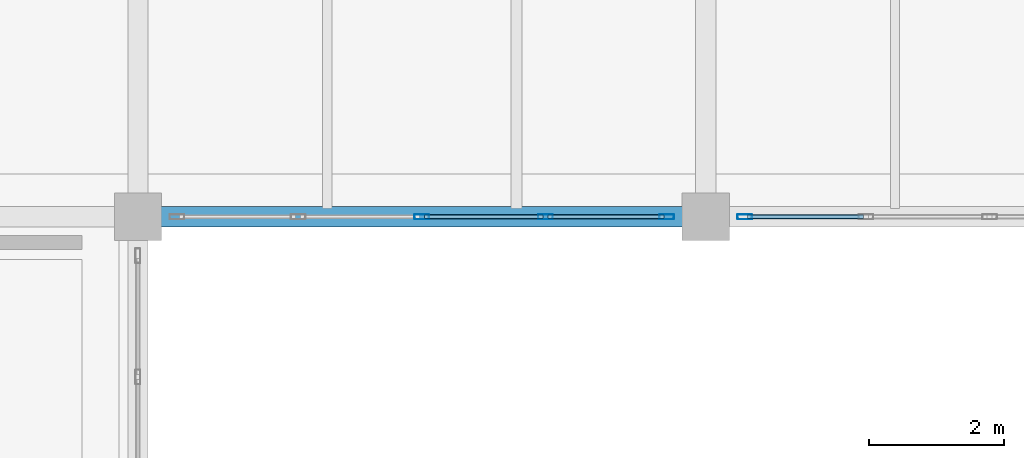
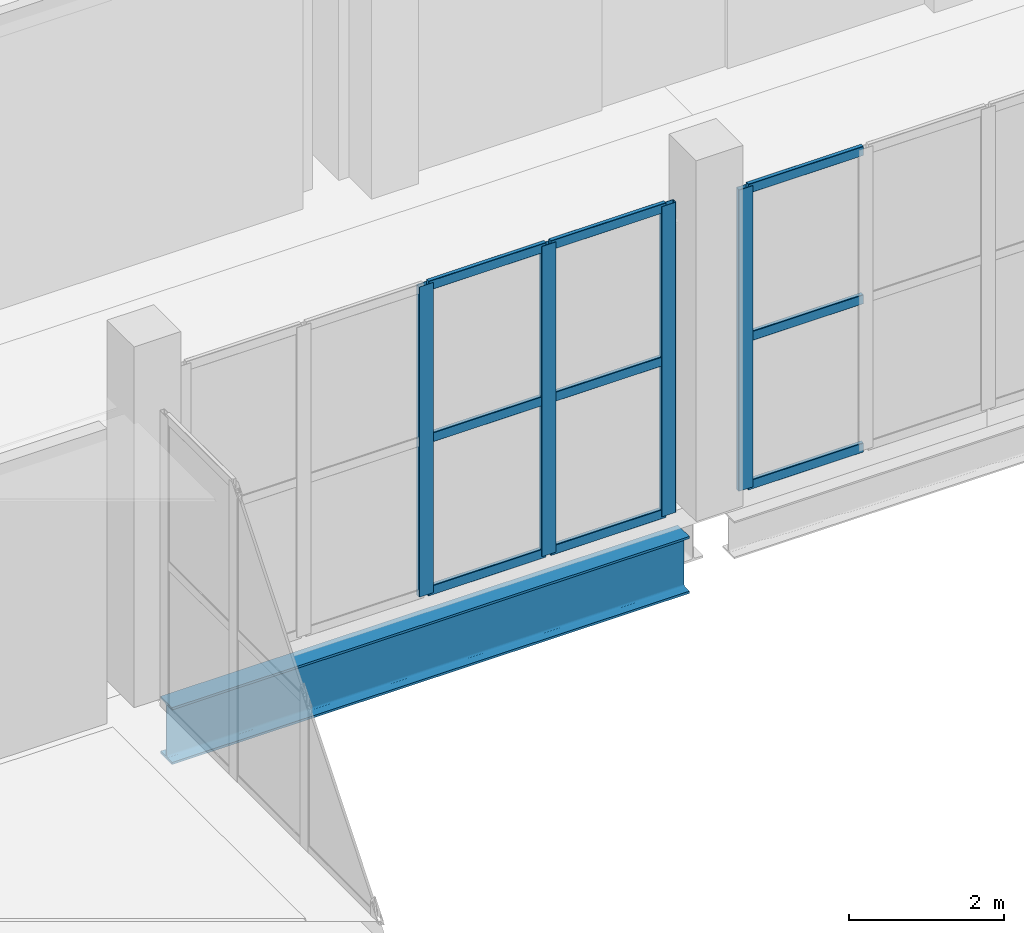
# One storey, part 24 of 49: 13 members, 1 beam, 2 elements without a shape of their own.
"""IFC4 building model written with IfcOpenShell, lengths in metres."""

from ifc_helpers import new_model, si_unit, direction, frame, origin, origin_2d, place, context, subcontext, project, spatial, hollow_rectangle, i_section, extrude, material, layer, layer_set, material_profile, profile_set, type_object, element, aggregate, save


model = new_model("IFC4")

# Units and contexts
model_context = context("Model", 3, precision=1e-05, world=origin(), true_north=direction((0.0, 1.0)))
body_context = subcontext(model_context, "Body", "Model", "MODEL_VIEW")
ifc_project = project(units=[si_unit("LENGTHUNIT", "METRE"), si_unit("AREAUNIT", "SQUARE_METRE"), si_unit("VOLUMEUNIT", "CUBIC_METRE"), si_unit("PLANEANGLEUNIT", "RADIAN"), si_unit("MASSUNIT", "GRAM", prefix="KILO")], contexts=[model_context])

# Site, building, storey
site_placement = place(None, origin())
site = spatial("IfcSite", under=ifc_project, at=site_placement, CompositionType="ELEMENT")
building_placement = place(site_placement, origin())
building = spatial("IfcBuilding", under=site, at=building_placement, Name="Zulmaris Art Gallery", CompositionType="ELEMENT")
storey_placement = place(building_placement, frame((0.0, 0.0, 20.699951171875)))
storey = spatial("IfcBuildingStorey", under=building, at=storey_placement, Name="L04", CompositionType="ELEMENT", Elevation=20.699951171875)

# Beam
ifc_material_1 = material(Name="Steel S355J2", Category="steel")
ifc_material_profile_1 = material_profile(ifc_material_1, i_section(OverallWidth=0.300048828125, OverallDepth=0.89990234375, WebThickness=0.0185546875, FlangeThickness=0.034912109375, FilletRadius=0.030029296875, at=origin_2d()), Name="HEB 900")
ifc_profile_set_1 = profile_set([ifc_material_profile_1], Name="Steel S355J2")
beam_type = type_object("IfcBeamType", Name="BEAM-BM18", PredefinedType="BEAM", material=ifc_profile_set_1)
beam_placement = place(storey_placement, frame((158.735107421875, 58.800048828125, -0.81005859375), z_axis=(1.0, 0.0, 0.0), x_axis=(0.0, 1.0, 0.0)))
element("IfcBeam", 1, at=beam_placement, inside=storey, type_object=beam_type, Name="L04 X-girder (158.4..166.8, y=58.8)", PredefinedType="BEAM", context=body_context, shape_type="SweptSolid", body=[
    extrude(i_section(OverallWidth=0.300048828125, OverallDepth=0.89990234375, WebThickness=0.0185546875, FlangeThickness=0.034912109375, FilletRadius=0.030029296875, at=origin_2d()), origin(), (0.0, 0.0, 1.0), 7.72998046875),
])

# Curtain wall, members
ifc_material_2 = material(Name="Courtyard Artists Studio Curtain Wall", Category="aluminium")
ifc_layer = layer(ifc_material_2, 0.179931640625)
ifc_layer_set = layer_set([ifc_layer], Name="Courtyard Artists Studio Curtain Wall")
curtain_wall_type = type_object("IfcCurtainWallType", Name="CW-CW04", PredefinedType="NOTDEFINED", material=ifc_layer_set)
curtain_wall_1_placement = place(storey_placement, origin())
curtain_wall_1 = element("IfcCurtainWall", 2, at=curtain_wall_1_placement, inside=storey, type_object=curtain_wall_type, Name="L04 curtain wall 162", PredefinedType="NOTDEFINED")
ifc_material_3 = material(Name="Anodised Bronze Aluminium", Category="aluminium")
ifc_material_profile_2 = material_profile(ifc_material_3, hollow_rectangle(XDim=0.074951171875, YDim=0.219970703125, WallThickness=0.0048828125, InnerFilletRadius=0.007568359375, OuterFilletRadius=0.012451171875, at=origin_2d()), Name="ALU 75x220x5")
ifc_profile_set_2 = profile_set([ifc_material_profile_2], Name="Anodised Bronze Aluminium")
member_type_1 = type_object("IfcMemberType", Name="CWMUL-02", PredefinedType="MULLION", material=ifc_profile_set_2)
member_1_placement = place(storey_placement, frame((166.222412109375, 58.800048828125, 0.0), z_axis=(0.0, 0.0, 1.0), x_axis=(0.0, -1.0, 0.0)))
member_1 = element("IfcMember", 3, at=member_1_placement, type_object=member_type_1, Name="CW04 mullion 1", PredefinedType="MULLION", context=body_context, shape_type="SweptSolid", body=[
    extrude(hollow_rectangle(XDim=0.074951171875, YDim=0.219970703125, WallThickness=0.0048828125, InnerFilletRadius=0.007568359375, OuterFilletRadius=0.012451171875, at=origin_2d()), origin(), (0.0, 0.0, 1.0), 4.900146484375),
])
member_2_placement = place(storey_placement, frame((164.429931640625, 58.800048828125, 0.0), z_axis=(0.0, 0.0, 1.0), x_axis=(0.0, -1.0, 0.0)))
member_2 = element("IfcMember", 4, at=member_2_placement, type_object=member_type_1, Name="CW04 mullion 2", PredefinedType="MULLION", context=body_context, shape_type="SweptSolid", body=[
    extrude(hollow_rectangle(XDim=0.074951171875, YDim=0.219970703125, WallThickness=0.0048828125, InnerFilletRadius=0.007568359375, OuterFilletRadius=0.012451171875, at=origin_2d()), origin(), (0.0, 0.0, 1.0), 4.900146484375),
])
member_3_placement = place(storey_placement, frame((162.60009765625, 58.800048828125, 0.0), z_axis=(0.0, 0.0, 1.0), x_axis=(0.0, -1.0, 0.0)))
member_3 = element("IfcMember", 5, at=member_3_placement, type_object=member_type_1, Name="CW04 mullion 3", PredefinedType="MULLION", context=body_context, shape_type="SweptSolid", body=[
    extrude(hollow_rectangle(XDim=0.074951171875, YDim=0.219970703125, WallThickness=0.0048828125, InnerFilletRadius=0.007568359375, OuterFilletRadius=0.012451171875, at=origin_2d()), origin(), (0.0, 0.0, 1.0), 4.900146484375),
])

# Curtain wall, member
curtain_wall_2_placement = place(storey_placement, origin())
curtain_wall_2 = element("IfcCurtainWall", 6, at=curtain_wall_2_placement, inside=storey, type_object=curtain_wall_type, Name="L04 curtain wall 163", PredefinedType="NOTDEFINED")
member_4_placement = place(storey_placement, frame((167.37744140625, 58.800048828125, 0.0), z_axis=(0.0, 0.0, 1.0), x_axis=(0.0, -1.0, 0.0)))
member_4 = element("IfcMember", 7, at=member_4_placement, type_object=member_type_1, Name="CW04 mullion 5", PredefinedType="MULLION", context=body_context, shape_type="SweptSolid", body=[
    extrude(hollow_rectangle(XDim=0.074951171875, YDim=0.219970703125, WallThickness=0.0048828125, InnerFilletRadius=0.007568359375, OuterFilletRadius=0.012451171875, at=origin_2d()), origin(), (0.0, 0.0, 1.0), 4.760009765625),
])

# Member
ifc_material_profile_3 = material_profile(ifc_material_3, hollow_rectangle(XDim=0.06494140625, YDim=0.14990234375, WallThickness=0.00390625, InnerFilletRadius=0.006103515625, OuterFilletRadius=0.010009765625, at=origin_2d()), Name="ALU 65x150x4")
ifc_profile_set_3 = profile_set([ifc_material_profile_3], Name="Anodised Bronze Aluminium")
member_type_2 = type_object("IfcMemberType", Name="CWTRN-01", PredefinedType="USERDEFINED", material=ifc_profile_set_3)
member_5_placement = place(storey_placement, frame((166.18505859375, 58.800048828125, 0.03759765625), z_axis=(-1.0, 0.0, 0.0), x_axis=(0.0, -1.0, 0.0)))
member_5 = element("IfcMember", 8, at=member_5_placement, type_object=member_type_2, Name="CW04 transom 1.1", ObjectType="TRANSOM", PredefinedType="USERDEFINED", context=body_context, shape_type="SweptSolid", body=[
    extrude(hollow_rectangle(XDim=0.06494140625, YDim=0.14990234375, WallThickness=0.00390625, InnerFilletRadius=0.006103515625, OuterFilletRadius=0.010009765625, at=origin_2d()), origin(), (0.0, 0.0, 1.0), 1.717529296875),
])

member_6_placement = place(storey_placement, frame((166.18505859375, 58.800048828125, 2.449951171875), z_axis=(-1.0, 0.0, 0.0), x_axis=(0.0, -1.0, 0.0)))
member_6 = element("IfcMember", 9, at=member_6_placement, type_object=member_type_2, Name="CW04 transom 1.2", ObjectType="TRANSOM", PredefinedType="USERDEFINED", context=body_context, shape_type="SweptSolid", body=[
    extrude(hollow_rectangle(XDim=0.06494140625, YDim=0.14990234375, WallThickness=0.00390625, InnerFilletRadius=0.006103515625, OuterFilletRadius=0.010009765625, at=origin_2d()), origin(), (0.0, 0.0, 1.0), 1.717529296875),
])

member_7_placement = place(storey_placement, frame((166.18505859375, 58.800048828125, 4.862548828125), z_axis=(-1.0, 0.0, 0.0), x_axis=(0.0, -1.0, 0.0)))
member_7 = element("IfcMember", 10, at=member_7_placement, type_object=member_type_2, Name="CW04 transom 1.3", ObjectType="TRANSOM", PredefinedType="USERDEFINED", context=body_context, shape_type="SweptSolid", body=[
    extrude(hollow_rectangle(XDim=0.06494140625, YDim=0.14990234375, WallThickness=0.00390625, InnerFilletRadius=0.006103515625, OuterFilletRadius=0.010009765625, at=origin_2d()), origin(), (0.0, 0.0, 1.0), 1.717529296875),
])

member_8_placement = place(storey_placement, frame((164.392578125, 58.800048828125, 0.03759765625), z_axis=(-1.0, 0.0, 0.0), x_axis=(0.0, -1.0, 0.0)))
member_8 = element("IfcMember", 11, at=member_8_placement, type_object=member_type_2, Name="CW04 transom 2.1", ObjectType="TRANSOM", PredefinedType="USERDEFINED", context=body_context, shape_type="SweptSolid", body=[
    extrude(hollow_rectangle(XDim=0.06494140625, YDim=0.14990234375, WallThickness=0.00390625, InnerFilletRadius=0.006103515625, OuterFilletRadius=0.010009765625, at=origin_2d()), origin(), (0.0, 0.0, 1.0), 1.755126953125),
])

member_9_placement = place(storey_placement, frame((164.392578125, 58.800048828125, 2.449951171875), z_axis=(-1.0, 0.0, 0.0), x_axis=(0.0, -1.0, 0.0)))
member_9 = element("IfcMember", 12, at=member_9_placement, type_object=member_type_2, Name="CW04 transom 2.2", ObjectType="TRANSOM", PredefinedType="USERDEFINED", context=body_context, shape_type="SweptSolid", body=[
    extrude(hollow_rectangle(XDim=0.06494140625, YDim=0.14990234375, WallThickness=0.00390625, InnerFilletRadius=0.006103515625, OuterFilletRadius=0.010009765625, at=origin_2d()), origin(), (0.0, 0.0, 1.0), 1.755126953125),
])

member_10_placement = place(storey_placement, frame((164.392578125, 58.800048828125, 4.862548828125), z_axis=(-1.0, 0.0, 0.0), x_axis=(0.0, -1.0, 0.0)))
member_10 = element("IfcMember", 13, at=member_10_placement, type_object=member_type_2, Name="CW04 transom 2.3", ObjectType="TRANSOM", PredefinedType="USERDEFINED", context=body_context, shape_type="SweptSolid", body=[
    extrude(hollow_rectangle(XDim=0.06494140625, YDim=0.14990234375, WallThickness=0.00390625, InnerFilletRadius=0.006103515625, OuterFilletRadius=0.010009765625, at=origin_2d()), origin(), (0.0, 0.0, 1.0), 1.755126953125),
])

aggregate(curtain_wall_1, [member_1, member_2, member_3, member_5, member_6, member_7, member_8, member_9, member_10])

member_11_placement = place(storey_placement, frame((169.132568359375, 58.800048828125, 0.03759765625), z_axis=(-1.0, 0.0, 0.0), x_axis=(0.0, -1.0, 0.0)))
member_11 = element("IfcMember", 14, at=member_11_placement, type_object=member_type_2, Name="CW04 transom 4.1", ObjectType="TRANSOM", PredefinedType="USERDEFINED", context=body_context, shape_type="SweptSolid", body=[
    extrude(hollow_rectangle(XDim=0.06494140625, YDim=0.14990234375, WallThickness=0.00390625, InnerFilletRadius=0.006103515625, OuterFilletRadius=0.010009765625, at=origin_2d()), origin(), (0.0, 0.0, 1.0), 1.717529296875),
])

member_12_placement = place(storey_placement, frame((169.132568359375, 58.800048828125, 2.380126953125), z_axis=(-1.0, 0.0, 0.0), x_axis=(0.0, -1.0, 0.0)))
member_12 = element("IfcMember", 15, at=member_12_placement, type_object=member_type_2, Name="CW04 transom 4.2", ObjectType="TRANSOM", PredefinedType="USERDEFINED", context=body_context, shape_type="SweptSolid", body=[
    extrude(hollow_rectangle(XDim=0.06494140625, YDim=0.14990234375, WallThickness=0.00390625, InnerFilletRadius=0.006103515625, OuterFilletRadius=0.010009765625, at=origin_2d()), origin(), (0.0, 0.0, 1.0), 1.717529296875),
])

member_13_placement = place(storey_placement, frame((169.132568359375, 58.800048828125, 4.72265625), z_axis=(-1.0, 0.0, 0.0), x_axis=(0.0, -1.0, 0.0)))
member_13 = element("IfcMember", 16, at=member_13_placement, type_object=member_type_2, Name="CW04 transom 4.3", ObjectType="TRANSOM", PredefinedType="USERDEFINED", context=body_context, shape_type="SweptSolid", body=[
    extrude(hollow_rectangle(XDim=0.06494140625, YDim=0.14990234375, WallThickness=0.00390625, InnerFilletRadius=0.006103515625, OuterFilletRadius=0.010009765625, at=origin_2d()), origin(), (0.0, 0.0, 1.0), 1.717529296875),
])

aggregate(curtain_wall_2, [member_4, member_11, member_12, member_13])

save(model, "model.ifc")
